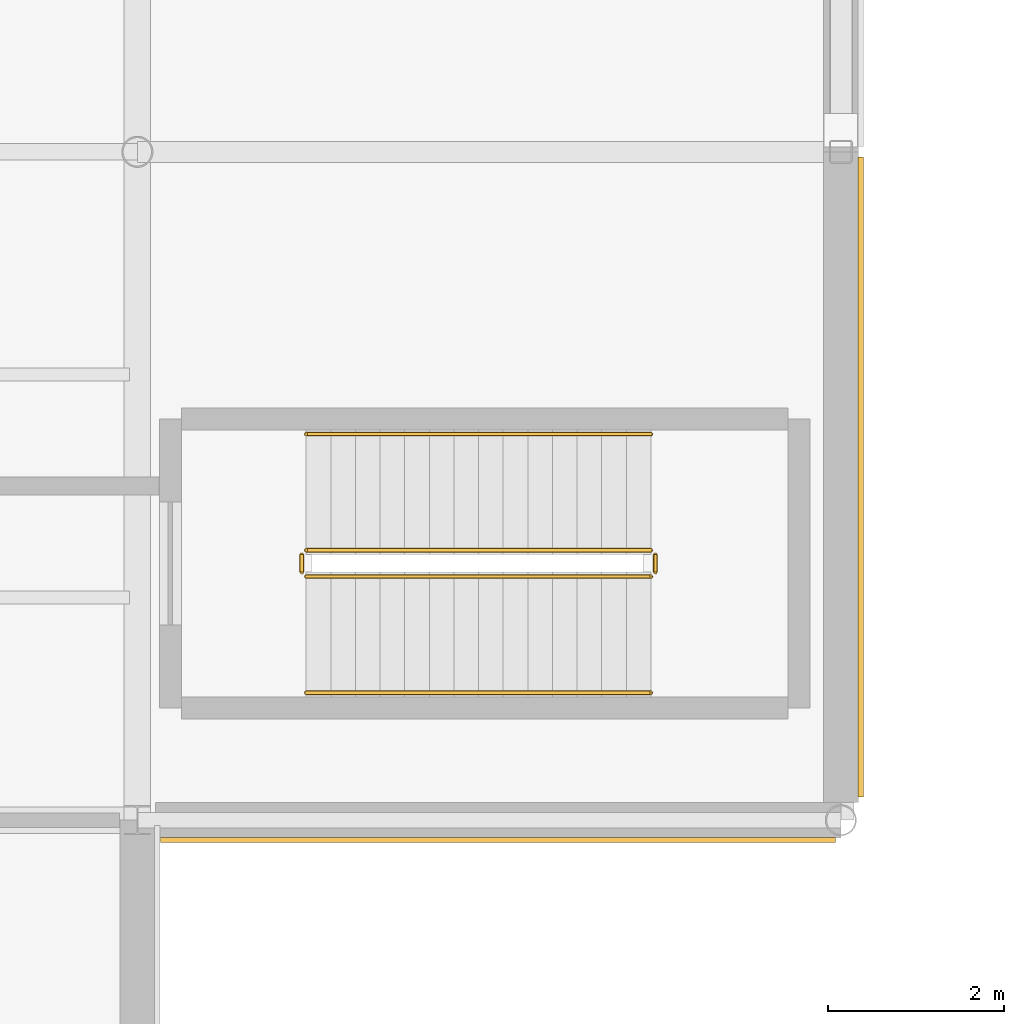
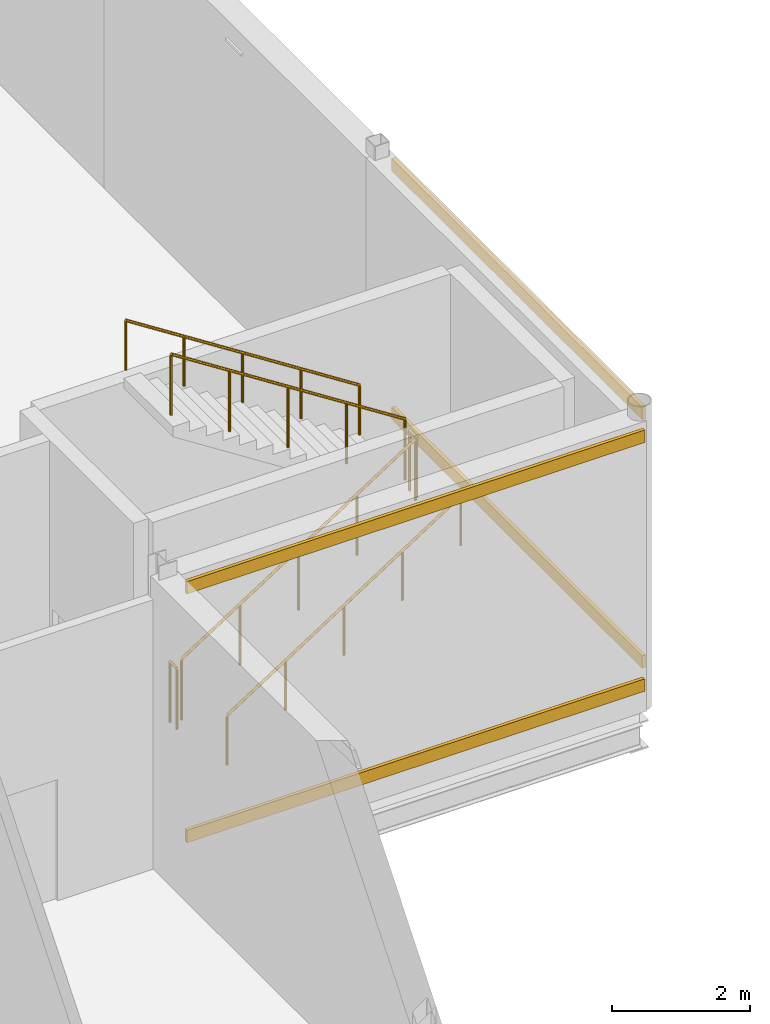
# One storey, part 139 of 147: 6 railings, 4 coverings.
"""IFC4 building model written with IfcOpenShell, lengths in metres."""

from ifc_helpers import new_model, si_unit, direction, frame, origin, origin_2d, place, context, subcontext, project, spatial, rectangle, circle, extrude, material, layer, layer_set, type_object, element, save


model = new_model("IFC4")

# Units and contexts
model_context = context("Model", 3, precision=1e-05, world=origin(), true_north=direction((0.0, 1.0)))
body_context = subcontext(model_context, "Body", "Model", "MODEL_VIEW")
ifc_project = project(units=[si_unit("LENGTHUNIT", "METRE"), si_unit("AREAUNIT", "SQUARE_METRE"), si_unit("VOLUMEUNIT", "CUBIC_METRE"), si_unit("PLANEANGLEUNIT", "RADIAN"), si_unit("MASSUNIT", "GRAM", prefix="KILO")], contexts=[model_context])

# Site, building, storey
site_placement = place(None, origin())
site = spatial("IfcSite", under=ifc_project, at=site_placement, CompositionType="ELEMENT")
building_placement = place(site_placement, origin())
building = spatial("IfcBuilding", under=site, at=building_placement, Name="Vekula Escarpment Museum", CompositionType="ELEMENT")
storey_placement = place(building_placement, frame((0.0, 0.0, 7.800048828125)))
storey = spatial("IfcBuildingStorey", under=building, at=storey_placement, Name="L02", CompositionType="ELEMENT", Elevation=7.800048828125)

# Coverings
ifc_material_1 = material(Name="Polychrome limestone almasik string-course band", Category="masonry")
ifc_layer = layer(ifc_material_1, 0.06005859375)
ifc_layer_set = layer_set([ifc_layer], Name="Polychrome limestone almasik string-course band")
covering_type = type_object("IfcCoveringType", Name="COV-ALM-BAND", PredefinedType="CLADDING", material=ifc_layer_set)
for number, where, z_axis, x_axis, name in (
    (1, (52.10205078125, 112.97412109375, 0.41015625), (0.0, 0.0, 1.0), (1.0, 0.0, 0.0), "Almasik Stone String Course L02-0382"),
    (2, (52.10205078125, 112.97412109375, 4.81982421875), (0.0, 0.0, 1.0), (1.0, 0.0, 0.0), "Almasik Stone String Course L02-0383"),
):
    element("IfcCovering", number, at=place(storey_placement, frame(where, z_axis=z_axis, x_axis=x_axis)), inside=storey, type_object=covering_type, Name=name, PredefinedType="CLADDING", context=body_context, shape_type="SweptSolid", body=[
        extrude(rectangle(XDim=7.676025390625, YDim=0.06005859375, at=origin_2d()), origin(), (0.0, 0.0, 1.0), 0.219970703125),
    ])
for number, where, z_axis, x_axis, name in (
    (3, (56.22607421875, 117.10205078125, 0.41015625), (0.0, 0.0, 1.0), (0.0, 1.0, 0.0), "Almasik Stone String Course L02-0384"),
    (4, (56.22607421875, 117.10205078125, 4.81982421875), (0.0, 0.0, 1.0), (0.0, 1.0, 0.0), "Almasik Stone String Course L02-0385"),
):
    element("IfcCovering", number, at=place(storey_placement, frame(where, z_axis=z_axis, x_axis=x_axis)), inside=storey, type_object=covering_type, Name=name, PredefinedType="CLADDING", context=body_context, shape_type="SweptSolid", body=[
        extrude(rectangle(XDim=7.27587890625, YDim=0.06005859375, at=origin_2d()), origin(), (0.0, 0.0, 1.0), 0.219970703125),
    ])

# Railings
ifc_material_2 = material(Name="Painted Steel S355 stair guard", Category="steel")
railing_type_1 = type_object("IfcRailingType", Name="RL-STAIR-GUARD", PredefinedType="GUARDRAIL", material=ifc_material_2)
railing_1_placement = place(storey_placement, frame((49.919921875, 115.969970703125, 0.179931640625)))
element("IfcRailing", 5, at=railing_1_placement, inside=storey, type_object=railing_type_1, Name="L02 ST-03 stair guard 1", PredefinedType="GUARDRAIL", context=body_context, shape_type="SweptSolid", body=[
    extrude(circle(Radius=0.02392578125, at=origin_2d()), frame((0.0, 0.0, 1.076171875), z_axis=(0.841186985886, 0.0, 0.540744352514), x_axis=(0.0, 1.0, 0.0)), (0.0, 0.0, 1.0), 4.660400390625),
    extrude(circle(Radius=0.02099609375, at=origin_2d()), origin(), (0.0, 0.0, 1.0), 1.052001953125),
    extrude(circle(Radius=0.02099609375, at=origin_2d()), frame((0.97998046875, 0.0, 0.6298828125)), (0.0, 0.0, 1.0), 1.052001953125),
    extrude(circle(Radius=0.02099609375, at=origin_2d()), frame((1.9599609375, 0.0, 1.260009765625)), (0.0, 0.0, 1.0), 1.052001953125),
    extrude(circle(Radius=0.02099609375, at=origin_2d()), frame((2.940185546875, 0.0, 1.89013671875)), (0.0, 0.0, 1.0), 1.052001953125),
    extrude(circle(Radius=0.02099609375, at=origin_2d()), frame((3.920166015625, 0.0, 2.52001953125)), (0.0, 0.0, 1.0), 1.052001953125),
])
railing_2_placement = place(storey_placement, frame((53.889892578125, 116.02001953125, 2.699951171875)))
element("IfcRailing", 6, at=railing_2_placement, inside=storey, type_object=railing_type_1, Name="L02 ST-03 stair guard 2", PredefinedType="GUARDRAIL", context=body_context, shape_type="SweptSolid", body=[
    extrude(circle(Radius=0.02392578125, at=origin_2d()), frame((0.0, 0.0, 1.076171875), z_axis=(0.0, 1.0, 0.0), x_axis=(-1.0, 0.0, 0.0)), (0.0, 0.0, 1.0), 0.199951171875),
    extrude(circle(Radius=0.02099609375, at=origin_2d()), origin(), (0.0, 0.0, 1.0), 1.052001953125),
    extrude(circle(Radius=0.02099609375, at=origin_2d()), frame((0.0, 0.199951171875, 0.0)), (0.0, 0.0, 1.0), 1.052001953125),
])
railing_3_placement = place(storey_placement, frame((53.840087890625, 116.27001953125, 2.8798828125)))
element("IfcRailing", 7, at=railing_3_placement, inside=storey, type_object=railing_type_1, Name="L02 ST-03 stair guard 3", PredefinedType="GUARDRAIL", context=body_context, shape_type="SweptSolid", body=[
    extrude(circle(Radius=0.02392578125, at=origin_2d()), frame((0.0, 0.0, 1.076171875), z_axis=(-0.841186985886, 0.0, 0.540744352514), x_axis=(0.0, -1.0, 0.0)), (0.0, 0.0, 1.0), 4.660400390625),
    extrude(circle(Radius=0.02099609375, at=origin_2d()), origin(), (0.0, 0.0, 1.0), 1.052001953125),
    extrude(circle(Radius=0.02099609375, at=origin_2d()), frame((-0.97998046875, 0.0, 0.6298828125)), (0.0, 0.0, 1.0), 1.052001953125),
    extrude(circle(Radius=0.02099609375, at=origin_2d()), frame((-1.9599609375, 0.0, 1.260009765625)), (0.0, 0.0, 1.0), 1.052001953125),
    extrude(circle(Radius=0.02099609375, at=origin_2d()), frame((-2.940185546875, 0.0, 1.89013671875)), (0.0, 0.0, 1.0), 1.052001953125),
    extrude(circle(Radius=0.02099609375, at=origin_2d()), frame((-3.920166015625, 0.0, 2.52001953125)), (0.0, 0.0, 1.0), 1.052001953125),
])
railing_4_placement = place(storey_placement, frame((49.8701171875, 116.02001953125, 0.0)))
element("IfcRailing", 8, at=railing_4_placement, inside=storey, type_object=railing_type_1, Name="L02 ST-03 stair guard 4", PredefinedType="GUARDRAIL", context=body_context, shape_type="SweptSolid", body=[
    extrude(circle(Radius=0.02392578125, at=origin_2d()), frame((0.0, 0.0, 1.076171875), z_axis=(0.0, 1.0, 0.0), x_axis=(-1.0, 0.0, 0.0)), (0.0, 0.0, 1.0), 0.199951171875),
    extrude(circle(Radius=0.02099609375, at=origin_2d()), origin(), (0.0, 0.0, 1.0), 1.052001953125),
    extrude(circle(Radius=0.02099609375, at=origin_2d()), frame((0.0, 0.199951171875, 0.0)), (0.0, 0.0, 1.0), 1.052001953125),
])
ifc_material_3 = material(Name="Brushed stainless steel handrail", Category="steel")
railing_type_2 = type_object("IfcRailingType", Name="RL-STAIR-HAND", PredefinedType="HANDRAIL", material=ifc_material_3)
railing_5_placement = place(storey_placement, frame((49.919921875, 114.64990234375, 0.179931640625)))
element("IfcRailing", 9, at=railing_5_placement, inside=storey, type_object=railing_type_2, Name="L02 ST-03 stair handrail 1", PredefinedType="HANDRAIL", context=body_context, shape_type="SweptSolid", body=[
    extrude(circle(Radius=0.02392578125, at=origin_2d()), frame((0.0, 0.0, 0.8759765625), z_axis=(0.841186985886, 0.0, 0.540744352514), x_axis=(0.0, 1.0, 0.0)), (0.0, 0.0, 1.0), 4.660400390625),
    extrude(circle(Radius=0.02099609375, at=origin_2d()), origin(), (0.0, 0.0, 1.0), 0.851806640625),
    extrude(circle(Radius=0.02099609375, at=origin_2d()), frame((0.97998046875, 0.0, 0.6298828125)), (0.0, 0.0, 1.0), 0.851806640625),
    extrude(circle(Radius=0.02099609375, at=origin_2d()), frame((1.9599609375, 0.0, 1.260009765625)), (0.0, 0.0, 1.0), 0.851806640625),
    extrude(circle(Radius=0.02099609375, at=origin_2d()), frame((2.940185546875, 0.0, 1.89013671875)), (0.0, 0.0, 1.0), 0.851806640625),
    extrude(circle(Radius=0.02099609375, at=origin_2d()), frame((3.920166015625, 0.0, 2.52001953125)), (0.0, 0.0, 1.0), 0.851806640625),
])
railing_6_placement = place(storey_placement, frame((53.840087890625, 117.590087890625, 2.8798828125)))
element("IfcRailing", 10, at=railing_6_placement, inside=storey, type_object=railing_type_2, Name="L02 ST-03 stair handrail 2", PredefinedType="HANDRAIL", context=body_context, shape_type="SweptSolid", body=[
    extrude(circle(Radius=0.02392578125, at=origin_2d()), frame((0.0, 0.0, 0.8759765625), z_axis=(-0.841186985886, 0.0, 0.540744352514), x_axis=(0.0, -1.0, 0.0)), (0.0, 0.0, 1.0), 4.660400390625),
    extrude(circle(Radius=0.02099609375, at=origin_2d()), origin(), (0.0, 0.0, 1.0), 0.851806640625),
    extrude(circle(Radius=0.02099609375, at=origin_2d()), frame((-0.97998046875, 0.0, 0.6298828125)), (0.0, 0.0, 1.0), 0.851806640625),
    extrude(circle(Radius=0.02099609375, at=origin_2d()), frame((-1.9599609375, 0.0, 1.260009765625)), (0.0, 0.0, 1.0), 0.851806640625),
    extrude(circle(Radius=0.02099609375, at=origin_2d()), frame((-2.940185546875, 0.0, 1.89013671875)), (0.0, 0.0, 1.0), 0.851806640625),
    extrude(circle(Radius=0.02099609375, at=origin_2d()), frame((-3.920166015625, 0.0, 2.52001953125)), (0.0, 0.0, 1.0), 0.851806640625),
])

save(model, "model.ifc")
